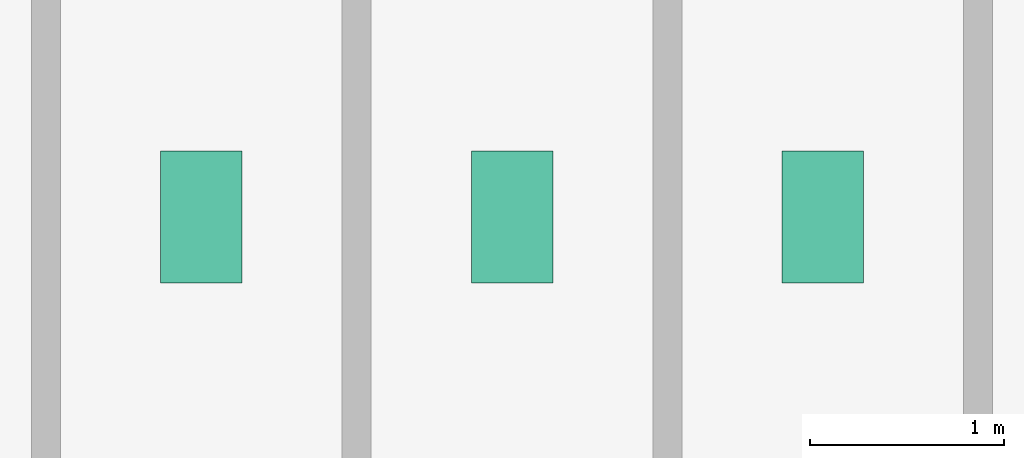
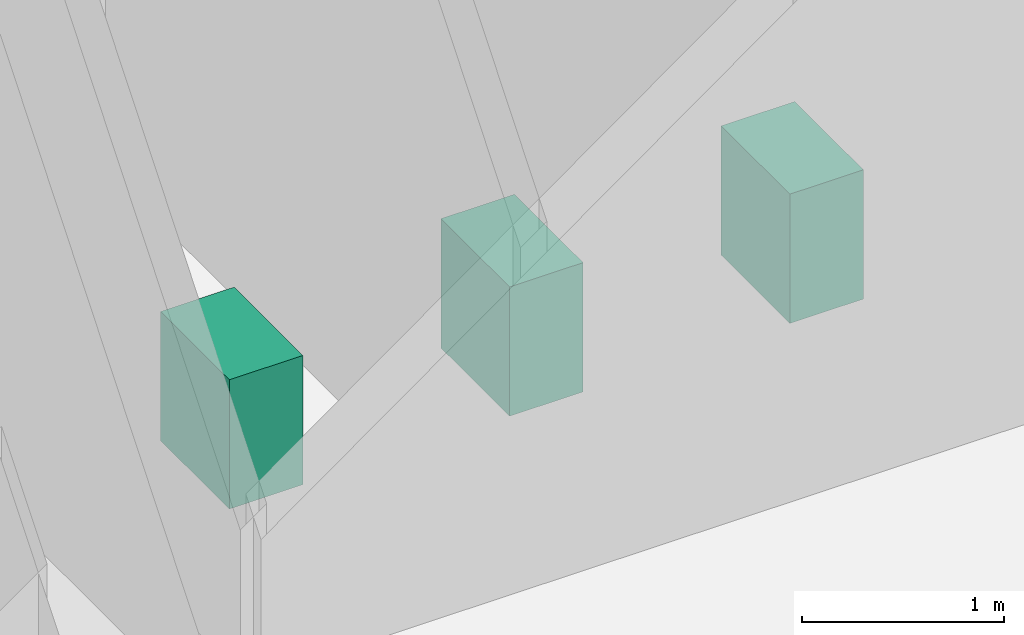
# One storey, part 22 of 22: 3 sanitary terminals.
"""IFC4 building model written with IfcOpenShell, lengths in metres."""

from ifc_helpers import new_model, si_unit, derived_unit, direction, frame, origin, origin_2d, place, context, subcontext, project, spatial, rectangle, extrude, source, transform, mapped, material, type_object, element, save


model = new_model("IFC4")

# Units and contexts
model_context = context("Model", 3, precision=1e-05, world=origin(), true_north=direction((0.0, 1.0)))
body_context = subcontext(model_context, "Body", "Model", "MODEL_VIEW")
ifc_project = project(units=[si_unit("LENGTHUNIT", "METRE"), si_unit("AREAUNIT", "SQUARE_METRE"), si_unit("VOLUMEUNIT", "CUBIC_METRE"), si_unit("PLANEANGLEUNIT", "RADIAN"), si_unit("MASSUNIT", "GRAM", prefix="KILO"), derived_unit("THERMALTRANSMITTANCEUNIT", [(si_unit("POWERUNIT", "WATT"), 1), (si_unit("LENGTHUNIT", "METRE"), -2), (si_unit("THERMODYNAMICTEMPERATUREUNIT", "KELVIN"), -1)])], contexts=[model_context])

# Site, building, storey
site_placement = place(None, origin())
site = spatial("IfcSite", under=ifc_project, at=site_placement, CompositionType="ELEMENT")
building_placement = place(site_placement, origin())
building = spatial("IfcBuilding", under=site, at=building_placement, Name="Skarnbrae Concourse Arena and Tower", CompositionType="ELEMENT")
storey_placement = place(building_placement, frame((0.0, 0.0, 221.449951171875)))
storey = spatial("IfcBuildingStorey", under=building, at=storey_placement, Name="L57", CompositionType="ELEMENT", Elevation=221.449951171875)

# Sanitary terminals
ifc_material = material(Name="Vitreous china sanitaryware", Category="other")
sanitary_terminal_type = type_object("IfcSanitaryTerminalType", Name="SAN-WC-VITREOUS", PredefinedType="TOILETPAN", material=ifc_material)
shared_shape = source(origin(), body_context, "Body", "SweptSolid", [
    extrude(rectangle(XDim=0.419921875, YDim=0.679931640625, at=origin_2d()), origin(), (0.0, 0.0, 1.0), 0.780029296875),
])
for number, where, z_axis, x_axis, name in (
    (1, (35.0, 11.39990234375, 0.0), (0.0, 0.0, 1.0), (1.0, 0.0, 0.0), "L57 Washroom WC fixture 1"),
    (2, (36.60009765625, 11.39990234375, 0.0), (0.0, 0.0, 1.0), (1.0, 0.0, 0.0), "L57 Washroom WC fixture 2"),
    (3, (38.199951171875, 11.39990234375, 0.0), (0.0, 0.0, 1.0), (1.0, 0.0, 0.0), "L57 Washroom WC fixture 3"),
):
    element("IfcSanitaryTerminal", number, at=place(storey_placement, frame(where, z_axis=z_axis, x_axis=x_axis)), inside=storey, type_object=sanitary_terminal_type, Name=name, PredefinedType="TOILETPAN", context=body_context, shape_type="MappedRepresentation", body=[
        mapped(shared_shape, transform((0.0, 0.0, 0.0))),
    ])

save(model, "model.ifc")
